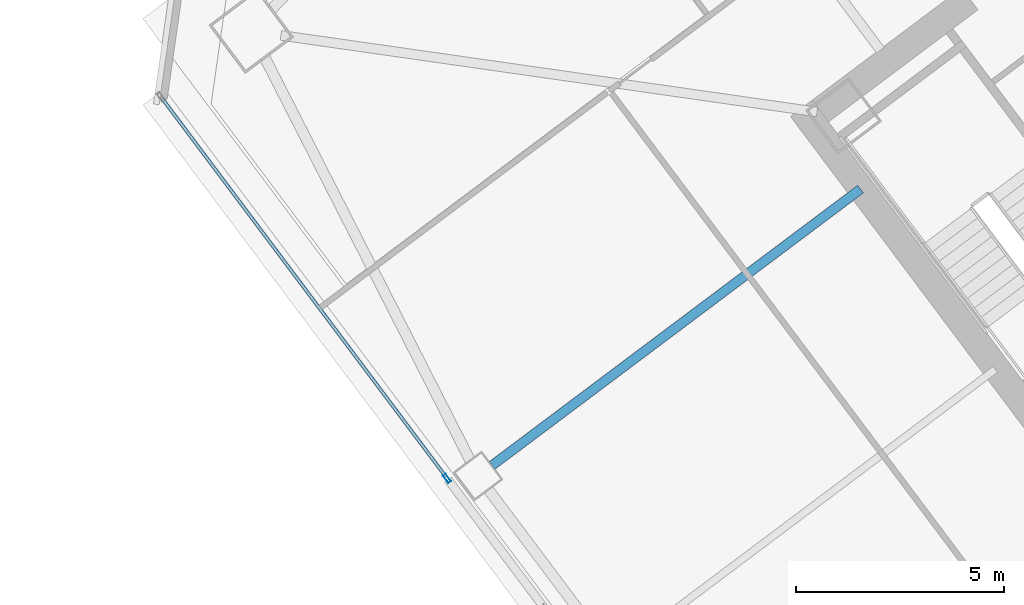
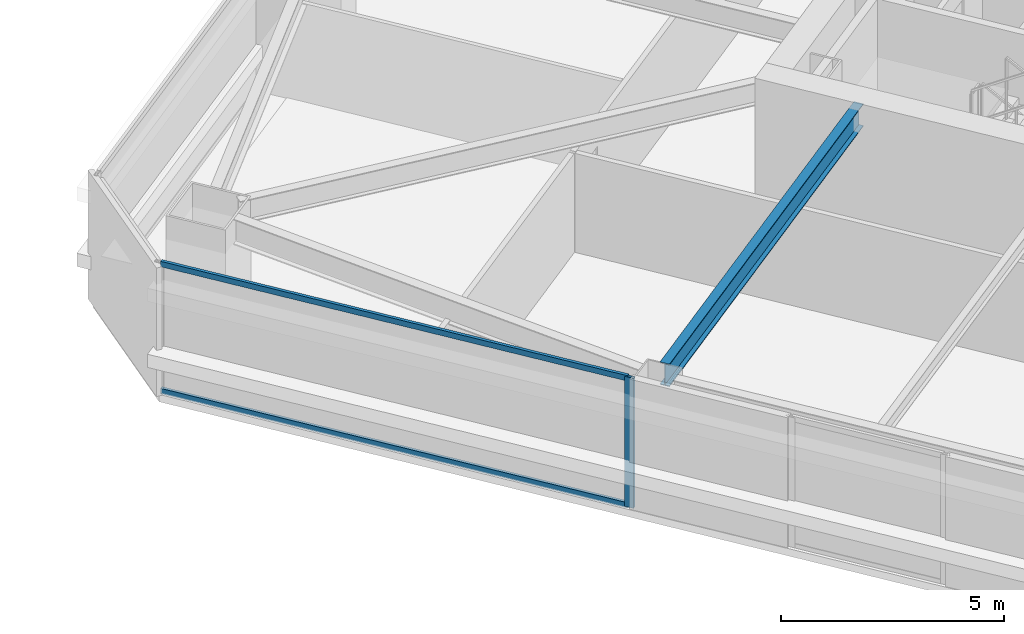
# One storey, part 20 of 46: 3 members, 1 beam, 1 element without a shape of its own.
"""IFC4 building model written with IfcOpenShell, lengths in metres."""

from ifc_helpers import new_model, si_unit, direction, frame, origin, origin_2d, place, context, subcontext, project, spatial, hollow_rectangle, i_section, extrude, material, material_profile, profile_set, type_object, element, aggregate, save


model = new_model("IFC4")

# Units and contexts
model_context = context("Model", 3, precision=1e-05, world=origin(), true_north=direction((0.0, 1.0)))
body_context = subcontext(model_context, "Body", "Model", "MODEL_VIEW")
ifc_project = project(units=[si_unit("LENGTHUNIT", "METRE"), si_unit("AREAUNIT", "SQUARE_METRE"), si_unit("VOLUMEUNIT", "CUBIC_METRE"), si_unit("PLANEANGLEUNIT", "RADIAN"), si_unit("MASSUNIT", "GRAM", prefix="KILO")], contexts=[model_context])

# Site, building, storey
site_placement = place(None, origin())
site = spatial("IfcSite", under=ifc_project, at=site_placement, CompositionType="ELEMENT")
building_placement = place(site_placement, origin())
building = spatial("IfcBuilding", under=site, at=building_placement, Name="Tashvorn Skyway Center", CompositionType="ELEMENT")
storey_placement = place(building_placement, frame((0.0, 0.0, 99.14990234375)))
storey = spatial("IfcBuildingStorey", under=building, at=storey_placement, Name="L26", CompositionType="ELEMENT", Elevation=99.14990234375)

# Beam
ifc_material_1 = material(Name="Steel ASTM A992 Grade 50", Category="steel")
ifc_material_profile_1 = material_profile(ifc_material_1, i_section(OverallWidth=0.22998046875, OverallDepth=0.616943359375, WebThickness=0.01318359375, FlangeThickness=0.022216796875, at=origin_2d()), Name="W24X94")
ifc_profile_set_1 = profile_set([ifc_material_profile_1], Name="Steel ASTM A992 Grade 50")
beam_type = type_object("IfcBeamType", Name="BM-BEAM-W24X94", PredefinedType="BEAM", material=ifc_profile_set_1)
beam_placement = place(storey_placement, frame((95.696044921875, 25.02197265625, 3.04150390625), z_axis=(0.799989394625, 0.60001414024, 0.0), x_axis=(-0.60001414024, 0.799989394625, 0.0)))
element("IfcBeam", 1, at=beam_placement, inside=storey, type_object=beam_type, Name="Tower 2 L26 Primary Floor Girder FC-W1", PredefinedType="BEAM", context=body_context, shape_type="SweptSolid", body=[
    extrude(i_section(OverallWidth=0.22998046875, OverallDepth=0.616943359375, WebThickness=0.01318359375, FlangeThickness=0.022216796875, at=origin_2d()), origin(), (0.0, 0.0, 1.0), 11.050048828125),
])

# Curtain wall, members
ifc_material_2 = material(Name="Thermally broken bronze-anodized aluminium 6063-T6", Category="aluminium")
curtain_wall_type = type_object("IfcCurtainWallType", Name="CW-CW-Z2", PredefinedType="NOTDEFINED", material=ifc_material_2)
curtain_wall_placement = place(storey_placement, origin())
curtain_wall = element("IfcCurtainWall", 2, at=curtain_wall_placement, inside=storey, type_object=curtain_wall_type, Name="Tower 2 L26 West Unitised Curtain Wall Glazing Group 3", PredefinedType="NOTDEFINED")
ifc_material_profile_2 = material_profile(ifc_material_2, hollow_rectangle(XDim=0.080078125, YDim=0.219970703125, WallThickness=0.0048828125, at=origin_2d()), Name="ALU-MULL-80x220")
ifc_profile_set_2 = profile_set([ifc_material_profile_2], Name="Thermally broken bronze-anodized aluminium 6063-T6")
member_type_1 = type_object("IfcMemberType", Name="CWM-CW-Z2", PredefinedType="MULLION", material=ifc_profile_set_2)
member_1_placement = place(storey_placement, frame((94.615966796875, 24.7119140625, 0.0), z_axis=(0.0, 0.0, 1.0), x_axis=(-0.799999999998, -0.600000000002, 0.0)))
member_1 = element("IfcMember", 3, at=member_1_placement, type_object=member_type_1, Name="CW-Z2 mullion 1", PredefinedType="MULLION", context=body_context, shape_type="SweptSolid", body=[
    extrude(hollow_rectangle(XDim=0.080078125, YDim=0.219970703125, WallThickness=0.0048828125, at=origin_2d()), origin(), (0.0, 0.0, 1.0), 3.550048828125),
])
ifc_material_profile_3 = material_profile(ifc_material_2, hollow_rectangle(XDim=0.080078125, YDim=0.14990234375, WallThickness=0.00439453125, at=origin_2d()), Name="ALU-TRAN-80x150")
ifc_profile_set_3 = profile_set([ifc_material_profile_3], Name="Thermally broken bronze-anodized aluminium 6063-T6")
member_type_2 = type_object("IfcMemberType", Name="CWT-CW-Z2", PredefinedType="USERDEFINED", material=ifc_profile_set_3)
member_2_placement = place(storey_placement, frame((94.592041015625, 24.743896484375, 0.0400390625), z_axis=(-0.600003438533, 0.799997421089, 0.0), x_axis=(-0.799997421089, -0.600003438533, 0.0)))
member_2 = element("IfcMember", 4, at=member_2_placement, type_object=member_type_2, Name="CW-Z2 transom 1.1", ObjectType="TRANSOM", PredefinedType="USERDEFINED", context=body_context, shape_type="SweptSolid", body=[
    extrude(hollow_rectangle(XDim=0.080078125, YDim=0.14990234375, WallThickness=0.00439453125, at=origin_2d()), origin(), (0.0, 0.0, 1.0), 11.360107421875),
])
member_3_placement = place(storey_placement, frame((94.592041015625, 24.743896484375, 3.510009765625), z_axis=(-0.600003438533, 0.799997421089, 0.0), x_axis=(-0.799997421089, -0.600003438533, 0.0)))
member_3 = element("IfcMember", 5, at=member_3_placement, type_object=member_type_2, Name="CW-Z2 transom 1.2", ObjectType="TRANSOM", PredefinedType="USERDEFINED", context=body_context, shape_type="SweptSolid", body=[
    extrude(hollow_rectangle(XDim=0.080078125, YDim=0.14990234375, WallThickness=0.00439453125, at=origin_2d()), origin(), (0.0, 0.0, 1.0), 11.360107421875),
])
aggregate(curtain_wall, [member_1, member_2, member_3])

save(model, "model.ifc")
